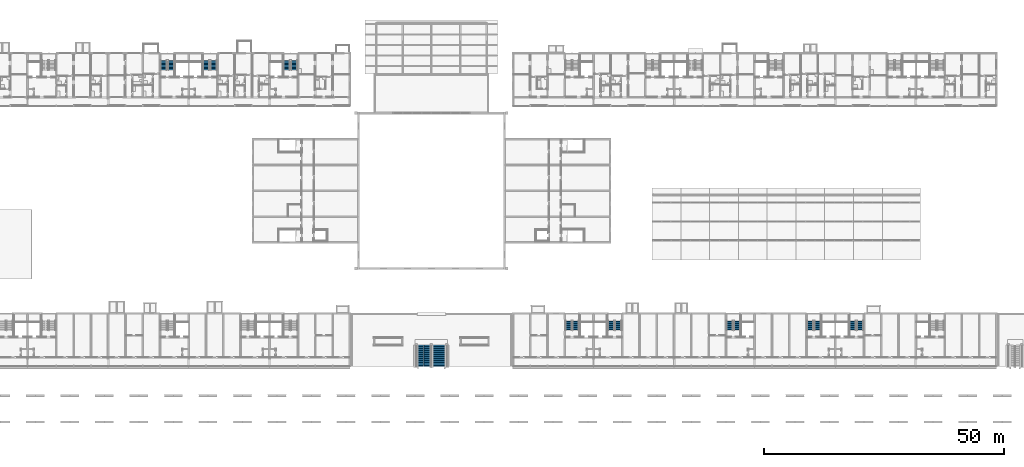
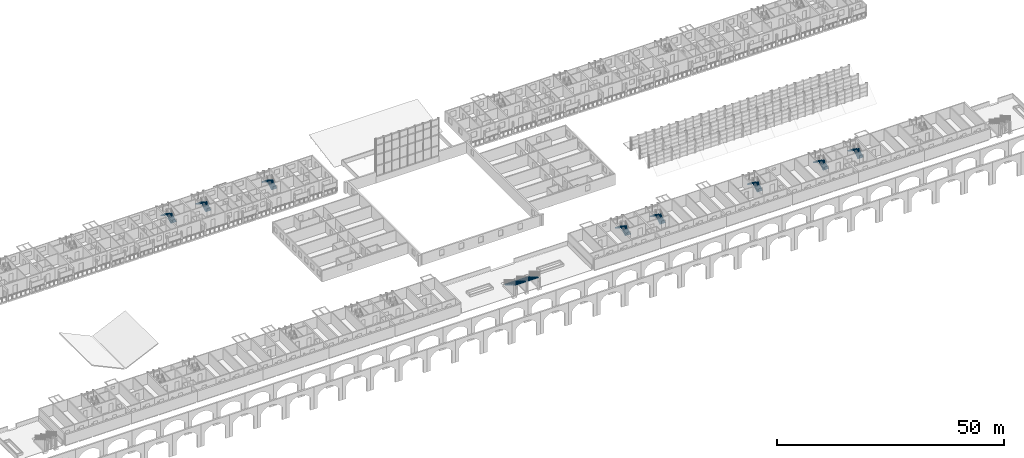
# One storey, part 83 of 122: 18 stair flights, 9 elements without a shape of their own.
"""IFC4 building model written with IfcOpenShell, lengths in metres."""

from ifc_helpers import new_model, si_unit, direction, frame, origin, place, context, subcontext, project, spatial, polyline, outline, extrude, material, type_object, element, aggregate, save


model = new_model("IFC4")

# Units and contexts
model_context = context("Model", 3, precision=1e-05, world=origin(), true_north=direction((0.0, 1.0)))
body_context = subcontext(model_context, "Body", "Model", "MODEL_VIEW")
ifc_project = project(units=[si_unit("LENGTHUNIT", "METRE"), si_unit("AREAUNIT", "SQUARE_METRE"), si_unit("VOLUMEUNIT", "CUBIC_METRE"), si_unit("PLANEANGLEUNIT", "RADIAN"), si_unit("MASSUNIT", "GRAM", prefix="KILO")], contexts=[model_context])

# Site, building, storey
site_placement = place(None, origin())
site = spatial("IfcSite", under=ifc_project, at=site_placement, CompositionType="ELEMENT")
building_placement = place(site_placement, origin())
building = spatial("IfcBuilding", under=site, at=building_placement, Name="Ridgestep Commons", CompositionType="ELEMENT")
storey_placement = place(building_placement, frame((0.0, 0.0, 3.0)))
storey = spatial("IfcBuildingStorey", under=building, at=storey_placement, Name="L01", CompositionType="ELEMENT", Elevation=3.0)

# Stair, stair flights
ifc_material_1 = material(Name="Concrete C30/37", Category="concrete")
stair_type_1 = type_object("IfcStairType", Name="Monumental stair", PredefinedType="STRAIGHT_RUN_STAIR", material=ifc_material_1)
stair_1_placement = place(storey_placement, origin())
stair_1 = element("IfcStair", 1, at=stair_1_placement, inside=storey, type_object=stair_type_1, Name="Monumental stair T1 to T2", PredefinedType="STRAIGHT_RUN_STAIR")
ifc_material_2 = material(Name="Concrete C30/37", Category="concrete")
stair_flight_type_1 = type_object("IfcStairFlightType", Name="Monumental stair flight", PredefinedType="STRAIGHT", material=ifc_material_2)
stair_flight_1_placement = place(storey_placement, frame((128.199951171875, 16.510009765625, 0.0), z_axis=(0.0, 0.0, 1.0), x_axis=(0.0, -1.0, 0.0)))
stair_flight_1 = element("IfcStairFlight", 2, at=stair_flight_1_placement, type_object=stair_flight_type_1, Name="ST3 flight 1", NumberOfRisers=18, NumberOfTreads=17, PredefinedType="STRAIGHT", RiserHeight=0.166666667, TreadLength=0.28, context=body_context, shape_type="SweptSolid", body=[
    extrude(outline(polyline([(0.0, 0.0), (0.0, 0.166748046875), (0.280029296875, 0.166748046875), (0.280029296875, 0.333251953125), (0.56005859375, 0.333251953125), (0.56005859375, 0.5), (0.840087890625, 0.5), (0.840087890625, 0.666748046875), (1.1201171875, 0.666748046875), (1.1201171875, 0.833251953125), (1.39990234375, 0.833251953125), (1.39990234375, 1.0), (1.679931640625, 1.0), (1.679931640625, 1.166748046875), (1.9599609375, 1.166748046875), (1.9599609375, 1.333251953125), (2.239990234375, 1.333251953125), (2.239990234375, 1.5), (2.52001953125, 1.5), (2.52001953125, 1.666748046875), (2.800048828125, 1.666748046875), (2.800048828125, 1.833251953125), (3.080078125, 1.833251953125), (3.080078125, 2.0), (3.360107421875, 2.0), (3.360107421875, 2.166748046875), (3.639892578125, 2.166748046875), (3.639892578125, 2.333251953125), (3.919921875, 2.333251953125), (3.919921875, 2.5), (4.199951171875, 2.5), (4.199951171875, 2.666748046875), (4.47998046875, 2.666748046875), (4.47998046875, 2.833251953125), (4.760009765625, 2.833251953125), (4.760009765625, 3.0), (4.760009765625, 2.6005859375), (0.390869140625, 0.0), (0.0, 0.0)])), frame((0.0, 1.39990234375, 0.0), z_axis=(0.0, -1.0, 0.0), x_axis=(1.0, 0.0, 0.0)), (0.0, 0.0, 1.0), 1.39501953125),
    extrude(outline(polyline([(0.0, 0.0), (0.0, 0.166748046875), (0.280029296875, 0.166748046875), (0.280029296875, 0.333251953125), (0.56005859375, 0.333251953125), (0.56005859375, 0.5), (0.840087890625, 0.5), (0.840087890625, 0.666748046875), (1.1201171875, 0.666748046875), (1.1201171875, 0.833251953125), (1.39990234375, 0.833251953125), (1.39990234375, 1.0), (1.679931640625, 1.0), (1.679931640625, 1.166748046875), (1.9599609375, 1.166748046875), (1.9599609375, 1.333251953125), (2.239990234375, 1.333251953125), (2.239990234375, 1.5), (2.52001953125, 1.5), (2.52001953125, 1.666748046875), (2.800048828125, 1.666748046875), (2.800048828125, 1.833251953125), (3.080078125, 1.833251953125), (3.080078125, 2.0), (3.360107421875, 2.0), (3.360107421875, 2.166748046875), (3.639892578125, 2.166748046875), (3.639892578125, 2.333251953125), (3.919921875, 2.333251953125), (3.919921875, 2.5), (4.199951171875, 2.5), (4.199951171875, 2.666748046875), (4.47998046875, 2.666748046875), (4.47998046875, 2.833251953125), (4.760009765625, 2.833251953125), (4.760009765625, 3.0), (4.760009765625, 2.6005859375), (0.390869140625, 0.0), (0.0, 0.0)])), frame((0.0, -0.0048828125, 0.0), z_axis=(0.0, -1.0, 0.0), x_axis=(1.0, 0.0, 0.0)), (0.0, 0.0, 1.0), 1.39501953125),
])
stair_flight_2_placement = place(storey_placement, frame((131.39990234375, 16.510009765625, 0.0), z_axis=(0.0, 0.0, 1.0), x_axis=(0.0, -1.0, 0.0)))
stair_flight_2 = element("IfcStairFlight", 3, at=stair_flight_2_placement, type_object=stair_flight_type_1, Name="ST3 flight 2", NumberOfRisers=18, NumberOfTreads=17, PredefinedType="STRAIGHT", RiserHeight=0.166666667, TreadLength=0.28, context=body_context, shape_type="SweptSolid", body=[
    extrude(outline(polyline([(0.0, 0.0), (0.0, 0.166748046875), (0.280029296875, 0.166748046875), (0.280029296875, 0.333251953125), (0.56005859375, 0.333251953125), (0.56005859375, 0.5), (0.840087890625, 0.5), (0.840087890625, 0.666748046875), (1.1201171875, 0.666748046875), (1.1201171875, 0.833251953125), (1.39990234375, 0.833251953125), (1.39990234375, 1.0), (1.679931640625, 1.0), (1.679931640625, 1.166748046875), (1.9599609375, 1.166748046875), (1.9599609375, 1.333251953125), (2.239990234375, 1.333251953125), (2.239990234375, 1.5), (2.52001953125, 1.5), (2.52001953125, 1.666748046875), (2.800048828125, 1.666748046875), (2.800048828125, 1.833251953125), (3.080078125, 1.833251953125), (3.080078125, 2.0), (3.360107421875, 2.0), (3.360107421875, 2.166748046875), (3.639892578125, 2.166748046875), (3.639892578125, 2.333251953125), (3.919921875, 2.333251953125), (3.919921875, 2.5), (4.199951171875, 2.5), (4.199951171875, 2.666748046875), (4.47998046875, 2.666748046875), (4.47998046875, 2.833251953125), (4.760009765625, 2.833251953125), (4.760009765625, 3.0), (4.760009765625, 2.6005859375), (0.390869140625, 0.0), (0.0, 0.0)])), frame((0.0, 1.39990234375, 0.0), z_axis=(0.0, -1.0, 0.0), x_axis=(1.0, 0.0, 0.0)), (0.0, 0.0, 1.0), 1.39501953125),
    extrude(outline(polyline([(0.0, 0.0), (0.0, 0.166748046875), (0.280029296875, 0.166748046875), (0.280029296875, 0.333251953125), (0.56005859375, 0.333251953125), (0.56005859375, 0.5), (0.840087890625, 0.5), (0.840087890625, 0.666748046875), (1.1201171875, 0.666748046875), (1.1201171875, 0.833251953125), (1.39990234375, 0.833251953125), (1.39990234375, 1.0), (1.679931640625, 1.0), (1.679931640625, 1.166748046875), (1.9599609375, 1.166748046875), (1.9599609375, 1.333251953125), (2.239990234375, 1.333251953125), (2.239990234375, 1.5), (2.52001953125, 1.5), (2.52001953125, 1.666748046875), (2.800048828125, 1.666748046875), (2.800048828125, 1.833251953125), (3.080078125, 1.833251953125), (3.080078125, 2.0), (3.360107421875, 2.0), (3.360107421875, 2.166748046875), (3.639892578125, 2.166748046875), (3.639892578125, 2.333251953125), (3.919921875, 2.333251953125), (3.919921875, 2.5), (4.199951171875, 2.5), (4.199951171875, 2.666748046875), (4.47998046875, 2.666748046875), (4.47998046875, 2.833251953125), (4.760009765625, 2.833251953125), (4.760009765625, 3.0), (4.760009765625, 2.6005859375), (0.390869140625, 0.0), (0.0, 0.0)])), frame((0.0, -0.0048828125, 0.0), z_axis=(0.0, -1.0, 0.0), x_axis=(1.0, 0.0, 0.0)), (0.0, 0.0, 1.0), 1.39501953125),
])
aggregate(stair_1, [stair_flight_1, stair_flight_2])

ifc_material_3 = material(Name="Precast concrete C40/50", Category="concrete")
stair_type_2 = type_object("IfcStairType", Name="Escape stair 1400", PredefinedType="HALF_TURN_STAIR", material=ifc_material_3)
stair_2_placement = place(storey_placement, origin())
stair_2 = element("IfcStair", 4, at=stair_2_placement, inside=storey, type_object=stair_type_2, Name="L01 Escape stair B4C", PredefinedType="HALF_TURN_STAIR")
ifc_material_4 = material(Name="Precast concrete C40/50", Category="concrete")
stair_flight_type_2 = type_object("IfcStairFlightType", Name="Stair flight 1400", PredefinedType="STRAIGHT", material=ifc_material_4)
stair_flight_3_placement = place(storey_placement, frame((75.52490234375, 73.60009765625, 0.0), z_axis=(0.0, 0.0, 1.0), x_axis=(0.0, 1.0, 0.0)))
stair_flight_3 = element("IfcStairFlight", 5, at=stair_flight_3_placement, type_object=stair_flight_type_2, Name="B4C flight 1", NumberOfRisers=8, NumberOfTreads=7, PredefinedType="STRAIGHT", RiserHeight=0.1875, TreadLength=0.28, context=body_context, shape_type="SweptSolid", body=[
    extrude(outline(polyline([(0.0, 0.0), (0.0, 0.1875), (0.280029296875, 0.1875), (0.280029296875, 0.375), (0.56005859375, 0.375), (0.56005859375, 0.5625), (0.840087890625, 0.5625), (0.840087890625, 0.75), (1.1201171875, 0.75), (1.1201171875, 0.9375), (1.39990234375, 0.9375), (1.39990234375, 1.125), (1.679931640625, 1.125), (1.679931640625, 1.3125), (1.9599609375, 1.3125), (1.9599609375, 1.5), (1.9599609375, 1.132080078125), (0.26953125, 0.0), (0.0, 0.0)])), frame((0.0, 0.699951171875, 0.0), z_axis=(0.0, -1.0, 0.0), x_axis=(1.0, 0.0, 0.0)), (0.0, 0.0, 1.0), 0.695068359375),
    extrude(outline(polyline([(0.0, 0.0), (0.0, 0.1875), (0.280029296875, 0.1875), (0.280029296875, 0.375), (0.56005859375, 0.375), (0.56005859375, 0.5625), (0.840087890625, 0.5625), (0.840087890625, 0.75), (1.1201171875, 0.75), (1.1201171875, 0.9375), (1.39990234375, 0.9375), (1.39990234375, 1.125), (1.679931640625, 1.125), (1.679931640625, 1.3125), (1.9599609375, 1.3125), (1.9599609375, 1.5), (1.9599609375, 1.132080078125), (0.26953125, 0.0), (0.0, 0.0)])), frame((0.0, -0.0048828125, 0.0), z_axis=(0.0, -1.0, 0.0), x_axis=(1.0, 0.0, 0.0)), (0.0, 0.0, 1.0), 0.695068359375),
])
stair_flight_4_placement = place(storey_placement, frame((74.02490234375, 75.56005859375, 1.5), z_axis=(0.0, 0.0, 1.0), x_axis=(0.0, -1.0, 0.0)))
stair_flight_4 = element("IfcStairFlight", 6, at=stair_flight_4_placement, type_object=stair_flight_type_2, Name="B4C flight 2", NumberOfRisers=8, NumberOfTreads=7, PredefinedType="STRAIGHT", RiserHeight=0.1875, TreadLength=0.28, context=body_context, shape_type="SweptSolid", body=[
    extrude(outline(polyline([(0.0, 0.0), (0.0, 0.1875), (0.280029296875, 0.1875), (0.280029296875, 0.375), (0.56005859375, 0.375), (0.56005859375, 0.5625), (0.840087890625, 0.5625), (0.840087890625, 0.75), (1.1201171875, 0.75), (1.1201171875, 0.9375), (1.39990234375, 0.9375), (1.39990234375, 1.125), (1.679931640625, 1.125), (1.679931640625, 1.3125), (1.9599609375, 1.3125), (1.9599609375, 1.5), (1.9599609375, 1.132080078125), (0.26953125, 0.0), (0.0, 0.0)])), frame((0.0, 0.699951171875, 0.0), z_axis=(0.0, -1.0, 0.0), x_axis=(1.0, 0.0, 0.0)), (0.0, 0.0, 1.0), 0.695068359375),
    extrude(outline(polyline([(0.0, 0.0), (0.0, 0.1875), (0.280029296875, 0.1875), (0.280029296875, 0.375), (0.56005859375, 0.375), (0.56005859375, 0.5625), (0.840087890625, 0.5625), (0.840087890625, 0.75), (1.1201171875, 0.75), (1.1201171875, 0.9375), (1.39990234375, 0.9375), (1.39990234375, 1.125), (1.679931640625, 1.125), (1.679931640625, 1.3125), (1.9599609375, 1.3125), (1.9599609375, 1.5), (1.9599609375, 1.132080078125), (0.26953125, 0.0), (0.0, 0.0)])), frame((0.0, -0.0048828125, 0.0), z_axis=(0.0, -1.0, 0.0), x_axis=(1.0, 0.0, 0.0)), (0.0, 0.0, 1.0), 0.695068359375),
])
aggregate(stair_2, [stair_flight_3, stair_flight_4])

stair_3_placement = place(storey_placement, origin())
stair_3 = element("IfcStair", 7, at=stair_3_placement, inside=storey, type_object=stair_type_2, Name="L01 Escape stair B5C", PredefinedType="HALF_TURN_STAIR")
stair_flight_5_placement = place(storey_placement, frame((84.375, 73.60009765625, 0.0), z_axis=(0.0, 0.0, 1.0), x_axis=(0.0, 1.0, 0.0)))
stair_flight_5 = element("IfcStairFlight", 8, at=stair_flight_5_placement, type_object=stair_flight_type_2, Name="B5C flight 1", NumberOfRisers=8, NumberOfTreads=7, PredefinedType="STRAIGHT", RiserHeight=0.1875, TreadLength=0.28, context=body_context, shape_type="SweptSolid", body=[
    extrude(outline(polyline([(0.0, 0.0), (0.0, 0.1875), (0.280029296875, 0.1875), (0.280029296875, 0.375), (0.56005859375, 0.375), (0.56005859375, 0.5625), (0.840087890625, 0.5625), (0.840087890625, 0.75), (1.1201171875, 0.75), (1.1201171875, 0.9375), (1.39990234375, 0.9375), (1.39990234375, 1.125), (1.679931640625, 1.125), (1.679931640625, 1.3125), (1.9599609375, 1.3125), (1.9599609375, 1.5), (1.9599609375, 1.132080078125), (0.26953125, 0.0), (0.0, 0.0)])), frame((0.0, 0.699951171875, 0.0), z_axis=(0.0, -1.0, 0.0), x_axis=(1.0, 0.0, 0.0)), (0.0, 0.0, 1.0), 0.695068359375),
    extrude(outline(polyline([(0.0, 0.0), (0.0, 0.1875), (0.280029296875, 0.1875), (0.280029296875, 0.375), (0.56005859375, 0.375), (0.56005859375, 0.5625), (0.840087890625, 0.5625), (0.840087890625, 0.75), (1.1201171875, 0.75), (1.1201171875, 0.9375), (1.39990234375, 0.9375), (1.39990234375, 1.125), (1.679931640625, 1.125), (1.679931640625, 1.3125), (1.9599609375, 1.3125), (1.9599609375, 1.5), (1.9599609375, 1.132080078125), (0.26953125, 0.0), (0.0, 0.0)])), frame((0.0, -0.0048828125, 0.0), z_axis=(0.0, -1.0, 0.0), x_axis=(1.0, 0.0, 0.0)), (0.0, 0.0, 1.0), 0.695068359375),
])
stair_flight_6_placement = place(storey_placement, frame((82.875, 75.56005859375, 1.5), z_axis=(0.0, 0.0, 1.0), x_axis=(0.0, -1.0, 0.0)))
stair_flight_6 = element("IfcStairFlight", 9, at=stair_flight_6_placement, type_object=stair_flight_type_2, Name="B5C flight 2", NumberOfRisers=8, NumberOfTreads=7, PredefinedType="STRAIGHT", RiserHeight=0.1875, TreadLength=0.28, context=body_context, shape_type="SweptSolid", body=[
    extrude(outline(polyline([(0.0, 0.0), (0.0, 0.1875), (0.280029296875, 0.1875), (0.280029296875, 0.375), (0.56005859375, 0.375), (0.56005859375, 0.5625), (0.840087890625, 0.5625), (0.840087890625, 0.75), (1.1201171875, 0.75), (1.1201171875, 0.9375), (1.39990234375, 0.9375), (1.39990234375, 1.125), (1.679931640625, 1.125), (1.679931640625, 1.3125), (1.9599609375, 1.3125), (1.9599609375, 1.5), (1.9599609375, 1.132080078125), (0.26953125, 0.0), (0.0, 0.0)])), frame((0.0, 0.699951171875, 0.0), z_axis=(0.0, -1.0, 0.0), x_axis=(1.0, 0.0, 0.0)), (0.0, 0.0, 1.0), 0.695068359375),
    extrude(outline(polyline([(0.0, 0.0), (0.0, 0.1875), (0.280029296875, 0.1875), (0.280029296875, 0.375), (0.56005859375, 0.375), (0.56005859375, 0.5625), (0.840087890625, 0.5625), (0.840087890625, 0.75), (1.1201171875, 0.75), (1.1201171875, 0.9375), (1.39990234375, 0.9375), (1.39990234375, 1.125), (1.679931640625, 1.125), (1.679931640625, 1.3125), (1.9599609375, 1.3125), (1.9599609375, 1.5), (1.9599609375, 1.132080078125), (0.26953125, 0.0), (0.0, 0.0)])), frame((0.0, -0.0048828125, 0.0), z_axis=(0.0, -1.0, 0.0), x_axis=(1.0, 0.0, 0.0)), (0.0, 0.0, 1.0), 0.695068359375),
])
aggregate(stair_3, [stair_flight_5, stair_flight_6])

stair_4_placement = place(storey_placement, origin())
stair_4 = element("IfcStair", 10, at=stair_4_placement, inside=storey, type_object=stair_type_2, Name="L01 Escape stair B6C", PredefinedType="HALF_TURN_STAIR")
stair_flight_7_placement = place(storey_placement, frame((101.175048828125, 73.60009765625, 0.0), z_axis=(0.0, 0.0, 1.0), x_axis=(0.0, 1.0, 0.0)))
stair_flight_7 = element("IfcStairFlight", 11, at=stair_flight_7_placement, type_object=stair_flight_type_2, Name="B6C flight 1", NumberOfRisers=8, NumberOfTreads=7, PredefinedType="STRAIGHT", RiserHeight=0.1875, TreadLength=0.28, context=body_context, shape_type="SweptSolid", body=[
    extrude(outline(polyline([(0.0, 0.0), (0.0, 0.1875), (0.280029296875, 0.1875), (0.280029296875, 0.375), (0.56005859375, 0.375), (0.56005859375, 0.5625), (0.840087890625, 0.5625), (0.840087890625, 0.75), (1.1201171875, 0.75), (1.1201171875, 0.9375), (1.39990234375, 0.9375), (1.39990234375, 1.125), (1.679931640625, 1.125), (1.679931640625, 1.3125), (1.9599609375, 1.3125), (1.9599609375, 1.5), (1.9599609375, 1.132080078125), (0.26953125, 0.0), (0.0, 0.0)])), frame((0.0, 0.699951171875, 0.0), z_axis=(0.0, -1.0, 0.0), x_axis=(1.0, 0.0, 0.0)), (0.0, 0.0, 1.0), 0.695068359375),
    extrude(outline(polyline([(0.0, 0.0), (0.0, 0.1875), (0.280029296875, 0.1875), (0.280029296875, 0.375), (0.56005859375, 0.375), (0.56005859375, 0.5625), (0.840087890625, 0.5625), (0.840087890625, 0.75), (1.1201171875, 0.75), (1.1201171875, 0.9375), (1.39990234375, 0.9375), (1.39990234375, 1.125), (1.679931640625, 1.125), (1.679931640625, 1.3125), (1.9599609375, 1.3125), (1.9599609375, 1.5), (1.9599609375, 1.132080078125), (0.26953125, 0.0), (0.0, 0.0)])), frame((0.0, -0.0048828125, 0.0), z_axis=(0.0, -1.0, 0.0), x_axis=(1.0, 0.0, 0.0)), (0.0, 0.0, 1.0), 0.695068359375),
])
stair_flight_8_placement = place(storey_placement, frame((99.675048828125, 75.56005859375, 1.5), z_axis=(0.0, 0.0, 1.0), x_axis=(0.0, -1.0, 0.0)))
stair_flight_8 = element("IfcStairFlight", 12, at=stair_flight_8_placement, type_object=stair_flight_type_2, Name="B6C flight 2", NumberOfRisers=8, NumberOfTreads=7, PredefinedType="STRAIGHT", RiserHeight=0.1875, TreadLength=0.28, context=body_context, shape_type="SweptSolid", body=[
    extrude(outline(polyline([(0.0, 0.0), (0.0, 0.1875), (0.280029296875, 0.1875), (0.280029296875, 0.375), (0.56005859375, 0.375), (0.56005859375, 0.5625), (0.840087890625, 0.5625), (0.840087890625, 0.75), (1.1201171875, 0.75), (1.1201171875, 0.9375), (1.39990234375, 0.9375), (1.39990234375, 1.125), (1.679931640625, 1.125), (1.679931640625, 1.3125), (1.9599609375, 1.3125), (1.9599609375, 1.5), (1.9599609375, 1.132080078125), (0.26953125, 0.0), (0.0, 0.0)])), frame((0.0, 0.699951171875, 0.0), z_axis=(0.0, -1.0, 0.0), x_axis=(1.0, 0.0, 0.0)), (0.0, 0.0, 1.0), 0.695068359375),
    extrude(outline(polyline([(0.0, 0.0), (0.0, 0.1875), (0.280029296875, 0.1875), (0.280029296875, 0.375), (0.56005859375, 0.375), (0.56005859375, 0.5625), (0.840087890625, 0.5625), (0.840087890625, 0.75), (1.1201171875, 0.75), (1.1201171875, 0.9375), (1.39990234375, 0.9375), (1.39990234375, 1.125), (1.679931640625, 1.125), (1.679931640625, 1.3125), (1.9599609375, 1.3125), (1.9599609375, 1.5), (1.9599609375, 1.132080078125), (0.26953125, 0.0), (0.0, 0.0)])), frame((0.0, -0.0048828125, 0.0), z_axis=(0.0, -1.0, 0.0), x_axis=(1.0, 0.0, 0.0)), (0.0, 0.0, 1.0), 0.695068359375),
])
aggregate(stair_4, [stair_flight_7, stair_flight_8])

stair_5_placement = place(storey_placement, origin())
stair_5 = element("IfcStair", 13, at=stair_5_placement, inside=storey, type_object=stair_type_2, Name="L01 Escape stair D1C", PredefinedType="HALF_TURN_STAIR")
stair_flight_9_placement = place(storey_placement, frame((159.925048828125, 19.35009765625, 0.0), z_axis=(0.0, 0.0, 1.0), x_axis=(0.0, 1.0, 0.0)))
stair_flight_9 = element("IfcStairFlight", 14, at=stair_flight_9_placement, type_object=stair_flight_type_2, Name="D1C flight 1", NumberOfRisers=8, NumberOfTreads=7, PredefinedType="STRAIGHT", RiserHeight=0.1875, TreadLength=0.28, context=body_context, shape_type="SweptSolid", body=[
    extrude(outline(polyline([(0.0, 0.0), (0.0, 0.1875), (0.280029296875, 0.1875), (0.280029296875, 0.375), (0.56005859375, 0.375), (0.56005859375, 0.5625), (0.840087890625, 0.5625), (0.840087890625, 0.75), (1.1201171875, 0.75), (1.1201171875, 0.9375), (1.39990234375, 0.9375), (1.39990234375, 1.125), (1.679931640625, 1.125), (1.679931640625, 1.3125), (1.9599609375, 1.3125), (1.9599609375, 1.5), (1.9599609375, 1.132080078125), (0.26953125, 0.0), (0.0, 0.0)])), frame((0.0, 0.699951171875, 0.0), z_axis=(0.0, -1.0, 0.0), x_axis=(1.0, 0.0, 0.0)), (0.0, 0.0, 1.0), 0.695068359375),
    extrude(outline(polyline([(0.0, 0.0), (0.0, 0.1875), (0.280029296875, 0.1875), (0.280029296875, 0.375), (0.56005859375, 0.375), (0.56005859375, 0.5625), (0.840087890625, 0.5625), (0.840087890625, 0.75), (1.1201171875, 0.75), (1.1201171875, 0.9375), (1.39990234375, 0.9375), (1.39990234375, 1.125), (1.679931640625, 1.125), (1.679931640625, 1.3125), (1.9599609375, 1.3125), (1.9599609375, 1.5), (1.9599609375, 1.132080078125), (0.26953125, 0.0), (0.0, 0.0)])), frame((0.0, -0.0048828125, 0.0), z_axis=(0.0, -1.0, 0.0), x_axis=(1.0, 0.0, 0.0)), (0.0, 0.0, 1.0), 0.695068359375),
])
stair_flight_10_placement = place(storey_placement, frame((158.425048828125, 21.31005859375, 1.5), z_axis=(0.0, 0.0, 1.0), x_axis=(0.0, -1.0, 0.0)))
stair_flight_10 = element("IfcStairFlight", 15, at=stair_flight_10_placement, type_object=stair_flight_type_2, Name="D1C flight 2", NumberOfRisers=8, NumberOfTreads=7, PredefinedType="STRAIGHT", RiserHeight=0.1875, TreadLength=0.28, context=body_context, shape_type="SweptSolid", body=[
    extrude(outline(polyline([(0.0, 0.0), (0.0, 0.1875), (0.280029296875, 0.1875), (0.280029296875, 0.375), (0.56005859375, 0.375), (0.56005859375, 0.5625), (0.840087890625, 0.5625), (0.840087890625, 0.75), (1.1201171875, 0.75), (1.1201171875, 0.9375), (1.39990234375, 0.9375), (1.39990234375, 1.125), (1.679931640625, 1.125), (1.679931640625, 1.3125), (1.9599609375, 1.3125), (1.9599609375, 1.5), (1.9599609375, 1.132080078125), (0.26953125, 0.0), (0.0, 0.0)])), frame((0.0, 0.699951171875, 0.0), z_axis=(0.0, -1.0, 0.0), x_axis=(1.0, 0.0, 0.0)), (0.0, 0.0, 1.0), 0.695068359375),
    extrude(outline(polyline([(0.0, 0.0), (0.0, 0.1875), (0.280029296875, 0.1875), (0.280029296875, 0.375), (0.56005859375, 0.375), (0.56005859375, 0.5625), (0.840087890625, 0.5625), (0.840087890625, 0.75), (1.1201171875, 0.75), (1.1201171875, 0.9375), (1.39990234375, 0.9375), (1.39990234375, 1.125), (1.679931640625, 1.125), (1.679931640625, 1.3125), (1.9599609375, 1.3125), (1.9599609375, 1.5), (1.9599609375, 1.132080078125), (0.26953125, 0.0), (0.0, 0.0)])), frame((0.0, -0.0048828125, 0.0), z_axis=(0.0, -1.0, 0.0), x_axis=(1.0, 0.0, 0.0)), (0.0, 0.0, 1.0), 0.695068359375),
])
aggregate(stair_5, [stair_flight_9, stair_flight_10])

stair_6_placement = place(storey_placement, origin())
stair_6 = element("IfcStair", 16, at=stair_6_placement, inside=storey, type_object=stair_type_2, Name="L01 Escape stair D2C", PredefinedType="HALF_TURN_STAIR")
stair_flight_11_placement = place(storey_placement, frame((168.77490234375, 19.35009765625, 0.0), z_axis=(0.0, 0.0, 1.0), x_axis=(0.0, 1.0, 0.0)))
stair_flight_11 = element("IfcStairFlight", 17, at=stair_flight_11_placement, type_object=stair_flight_type_2, Name="D2C flight 1", NumberOfRisers=8, NumberOfTreads=7, PredefinedType="STRAIGHT", RiserHeight=0.1875, TreadLength=0.28, context=body_context, shape_type="SweptSolid", body=[
    extrude(outline(polyline([(0.0, 0.0), (0.0, 0.1875), (0.280029296875, 0.1875), (0.280029296875, 0.375), (0.56005859375, 0.375), (0.56005859375, 0.5625), (0.840087890625, 0.5625), (0.840087890625, 0.75), (1.1201171875, 0.75), (1.1201171875, 0.9375), (1.39990234375, 0.9375), (1.39990234375, 1.125), (1.679931640625, 1.125), (1.679931640625, 1.3125), (1.9599609375, 1.3125), (1.9599609375, 1.5), (1.9599609375, 1.132080078125), (0.26953125, 0.0), (0.0, 0.0)])), frame((0.0, 0.699951171875, 0.0), z_axis=(0.0, -1.0, 0.0), x_axis=(1.0, 0.0, 0.0)), (0.0, 0.0, 1.0), 0.695068359375),
    extrude(outline(polyline([(0.0, 0.0), (0.0, 0.1875), (0.280029296875, 0.1875), (0.280029296875, 0.375), (0.56005859375, 0.375), (0.56005859375, 0.5625), (0.840087890625, 0.5625), (0.840087890625, 0.75), (1.1201171875, 0.75), (1.1201171875, 0.9375), (1.39990234375, 0.9375), (1.39990234375, 1.125), (1.679931640625, 1.125), (1.679931640625, 1.3125), (1.9599609375, 1.3125), (1.9599609375, 1.5), (1.9599609375, 1.132080078125), (0.26953125, 0.0), (0.0, 0.0)])), frame((0.0, -0.0048828125, 0.0), z_axis=(0.0, -1.0, 0.0), x_axis=(1.0, 0.0, 0.0)), (0.0, 0.0, 1.0), 0.695068359375),
])
stair_flight_12_placement = place(storey_placement, frame((167.27490234375, 21.31005859375, 1.5), z_axis=(0.0, 0.0, 1.0), x_axis=(0.0, -1.0, 0.0)))
stair_flight_12 = element("IfcStairFlight", 18, at=stair_flight_12_placement, type_object=stair_flight_type_2, Name="D2C flight 2", NumberOfRisers=8, NumberOfTreads=7, PredefinedType="STRAIGHT", RiserHeight=0.1875, TreadLength=0.28, context=body_context, shape_type="SweptSolid", body=[
    extrude(outline(polyline([(0.0, 0.0), (0.0, 0.1875), (0.280029296875, 0.1875), (0.280029296875, 0.375), (0.56005859375, 0.375), (0.56005859375, 0.5625), (0.840087890625, 0.5625), (0.840087890625, 0.75), (1.1201171875, 0.75), (1.1201171875, 0.9375), (1.39990234375, 0.9375), (1.39990234375, 1.125), (1.679931640625, 1.125), (1.679931640625, 1.3125), (1.9599609375, 1.3125), (1.9599609375, 1.5), (1.9599609375, 1.132080078125), (0.26953125, 0.0), (0.0, 0.0)])), frame((0.0, 0.699951171875, 0.0), z_axis=(0.0, -1.0, 0.0), x_axis=(1.0, 0.0, 0.0)), (0.0, 0.0, 1.0), 0.695068359375),
    extrude(outline(polyline([(0.0, 0.0), (0.0, 0.1875), (0.280029296875, 0.1875), (0.280029296875, 0.375), (0.56005859375, 0.375), (0.56005859375, 0.5625), (0.840087890625, 0.5625), (0.840087890625, 0.75), (1.1201171875, 0.75), (1.1201171875, 0.9375), (1.39990234375, 0.9375), (1.39990234375, 1.125), (1.679931640625, 1.125), (1.679931640625, 1.3125), (1.9599609375, 1.3125), (1.9599609375, 1.5), (1.9599609375, 1.132080078125), (0.26953125, 0.0), (0.0, 0.0)])), frame((0.0, -0.0048828125, 0.0), z_axis=(0.0, -1.0, 0.0), x_axis=(1.0, 0.0, 0.0)), (0.0, 0.0, 1.0), 0.695068359375),
])
aggregate(stair_6, [stair_flight_11, stair_flight_12])

stair_7_placement = place(storey_placement, origin())
stair_7 = element("IfcStair", 19, at=stair_7_placement, inside=storey, type_object=stair_type_2, Name="L01 Escape stair D3C", PredefinedType="HALF_TURN_STAIR")
stair_flight_13_placement = place(storey_placement, frame((193.52490234375, 19.35009765625, 0.0), z_axis=(0.0, 0.0, 1.0), x_axis=(0.0, 1.0, 0.0)))
stair_flight_13 = element("IfcStairFlight", 20, at=stair_flight_13_placement, type_object=stair_flight_type_2, Name="D3C flight 1", NumberOfRisers=8, NumberOfTreads=7, PredefinedType="STRAIGHT", RiserHeight=0.1875, TreadLength=0.28, context=body_context, shape_type="SweptSolid", body=[
    extrude(outline(polyline([(0.0, 0.0), (0.0, 0.1875), (0.280029296875, 0.1875), (0.280029296875, 0.375), (0.56005859375, 0.375), (0.56005859375, 0.5625), (0.840087890625, 0.5625), (0.840087890625, 0.75), (1.1201171875, 0.75), (1.1201171875, 0.9375), (1.39990234375, 0.9375), (1.39990234375, 1.125), (1.679931640625, 1.125), (1.679931640625, 1.3125), (1.9599609375, 1.3125), (1.9599609375, 1.5), (1.9599609375, 1.132080078125), (0.26953125, 0.0), (0.0, 0.0)])), frame((0.0, 0.699951171875, 0.0), z_axis=(0.0, -1.0, 0.0), x_axis=(1.0, 0.0, 0.0)), (0.0, 0.0, 1.0), 0.695068359375),
    extrude(outline(polyline([(0.0, 0.0), (0.0, 0.1875), (0.280029296875, 0.1875), (0.280029296875, 0.375), (0.56005859375, 0.375), (0.56005859375, 0.5625), (0.840087890625, 0.5625), (0.840087890625, 0.75), (1.1201171875, 0.75), (1.1201171875, 0.9375), (1.39990234375, 0.9375), (1.39990234375, 1.125), (1.679931640625, 1.125), (1.679931640625, 1.3125), (1.9599609375, 1.3125), (1.9599609375, 1.5), (1.9599609375, 1.132080078125), (0.26953125, 0.0), (0.0, 0.0)])), frame((0.0, -0.0048828125, 0.0), z_axis=(0.0, -1.0, 0.0), x_axis=(1.0, 0.0, 0.0)), (0.0, 0.0, 1.0), 0.695068359375),
])
stair_flight_14_placement = place(storey_placement, frame((192.02490234375, 21.31005859375, 1.5), z_axis=(0.0, 0.0, 1.0), x_axis=(0.0, -1.0, 0.0)))
stair_flight_14 = element("IfcStairFlight", 21, at=stair_flight_14_placement, type_object=stair_flight_type_2, Name="D3C flight 2", NumberOfRisers=8, NumberOfTreads=7, PredefinedType="STRAIGHT", RiserHeight=0.1875, TreadLength=0.28, context=body_context, shape_type="SweptSolid", body=[
    extrude(outline(polyline([(0.0, 0.0), (0.0, 0.1875), (0.280029296875, 0.1875), (0.280029296875, 0.375), (0.56005859375, 0.375), (0.56005859375, 0.5625), (0.840087890625, 0.5625), (0.840087890625, 0.75), (1.1201171875, 0.75), (1.1201171875, 0.9375), (1.39990234375, 0.9375), (1.39990234375, 1.125), (1.679931640625, 1.125), (1.679931640625, 1.3125), (1.9599609375, 1.3125), (1.9599609375, 1.5), (1.9599609375, 1.132080078125), (0.26953125, 0.0), (0.0, 0.0)])), frame((0.0, 0.699951171875, 0.0), z_axis=(0.0, -1.0, 0.0), x_axis=(1.0, 0.0, 0.0)), (0.0, 0.0, 1.0), 0.695068359375),
    extrude(outline(polyline([(0.0, 0.0), (0.0, 0.1875), (0.280029296875, 0.1875), (0.280029296875, 0.375), (0.56005859375, 0.375), (0.56005859375, 0.5625), (0.840087890625, 0.5625), (0.840087890625, 0.75), (1.1201171875, 0.75), (1.1201171875, 0.9375), (1.39990234375, 0.9375), (1.39990234375, 1.125), (1.679931640625, 1.125), (1.679931640625, 1.3125), (1.9599609375, 1.3125), (1.9599609375, 1.5), (1.9599609375, 1.132080078125), (0.26953125, 0.0), (0.0, 0.0)])), frame((0.0, -0.0048828125, 0.0), z_axis=(0.0, -1.0, 0.0), x_axis=(1.0, 0.0, 0.0)), (0.0, 0.0, 1.0), 0.695068359375),
])
aggregate(stair_7, [stair_flight_13, stair_flight_14])

stair_8_placement = place(storey_placement, origin())
stair_8 = element("IfcStair", 22, at=stair_8_placement, inside=storey, type_object=stair_type_2, Name="L01 Escape stair D4C", PredefinedType="HALF_TURN_STAIR")
stair_flight_15_placement = place(storey_placement, frame((210.324951171875, 19.35009765625, 0.0), z_axis=(0.0, 0.0, 1.0), x_axis=(0.0, 1.0, 0.0)))
stair_flight_15 = element("IfcStairFlight", 23, at=stair_flight_15_placement, type_object=stair_flight_type_2, Name="D4C flight 1", NumberOfRisers=8, NumberOfTreads=7, PredefinedType="STRAIGHT", RiserHeight=0.1875, TreadLength=0.28, context=body_context, shape_type="SweptSolid", body=[
    extrude(outline(polyline([(0.0, 0.0), (0.0, 0.1875), (0.280029296875, 0.1875), (0.280029296875, 0.375), (0.56005859375, 0.375), (0.56005859375, 0.5625), (0.840087890625, 0.5625), (0.840087890625, 0.75), (1.1201171875, 0.75), (1.1201171875, 0.9375), (1.39990234375, 0.9375), (1.39990234375, 1.125), (1.679931640625, 1.125), (1.679931640625, 1.3125), (1.9599609375, 1.3125), (1.9599609375, 1.5), (1.9599609375, 1.132080078125), (0.26953125, 0.0), (0.0, 0.0)])), frame((0.0, 0.699951171875, 0.0), z_axis=(0.0, -1.0, 0.0), x_axis=(1.0, 0.0, 0.0)), (0.0, 0.0, 1.0), 0.695068359375),
    extrude(outline(polyline([(0.0, 0.0), (0.0, 0.1875), (0.280029296875, 0.1875), (0.280029296875, 0.375), (0.56005859375, 0.375), (0.56005859375, 0.5625), (0.840087890625, 0.5625), (0.840087890625, 0.75), (1.1201171875, 0.75), (1.1201171875, 0.9375), (1.39990234375, 0.9375), (1.39990234375, 1.125), (1.679931640625, 1.125), (1.679931640625, 1.3125), (1.9599609375, 1.3125), (1.9599609375, 1.5), (1.9599609375, 1.132080078125), (0.26953125, 0.0), (0.0, 0.0)])), frame((0.0, -0.0048828125, 0.0), z_axis=(0.0, -1.0, 0.0), x_axis=(1.0, 0.0, 0.0)), (0.0, 0.0, 1.0), 0.695068359375),
])
stair_flight_16_placement = place(storey_placement, frame((208.824951171875, 21.31005859375, 1.5), z_axis=(0.0, 0.0, 1.0), x_axis=(0.0, -1.0, 0.0)))
stair_flight_16 = element("IfcStairFlight", 24, at=stair_flight_16_placement, type_object=stair_flight_type_2, Name="D4C flight 2", NumberOfRisers=8, NumberOfTreads=7, PredefinedType="STRAIGHT", RiserHeight=0.1875, TreadLength=0.28, context=body_context, shape_type="SweptSolid", body=[
    extrude(outline(polyline([(0.0, 0.0), (0.0, 0.1875), (0.280029296875, 0.1875), (0.280029296875, 0.375), (0.56005859375, 0.375), (0.56005859375, 0.5625), (0.840087890625, 0.5625), (0.840087890625, 0.75), (1.1201171875, 0.75), (1.1201171875, 0.9375), (1.39990234375, 0.9375), (1.39990234375, 1.125), (1.679931640625, 1.125), (1.679931640625, 1.3125), (1.9599609375, 1.3125), (1.9599609375, 1.5), (1.9599609375, 1.132080078125), (0.26953125, 0.0), (0.0, 0.0)])), frame((0.0, 0.699951171875, 0.0), z_axis=(0.0, -1.0, 0.0), x_axis=(1.0, 0.0, 0.0)), (0.0, 0.0, 1.0), 0.695068359375),
    extrude(outline(polyline([(0.0, 0.0), (0.0, 0.1875), (0.280029296875, 0.1875), (0.280029296875, 0.375), (0.56005859375, 0.375), (0.56005859375, 0.5625), (0.840087890625, 0.5625), (0.840087890625, 0.75), (1.1201171875, 0.75), (1.1201171875, 0.9375), (1.39990234375, 0.9375), (1.39990234375, 1.125), (1.679931640625, 1.125), (1.679931640625, 1.3125), (1.9599609375, 1.3125), (1.9599609375, 1.5), (1.9599609375, 1.132080078125), (0.26953125, 0.0), (0.0, 0.0)])), frame((0.0, -0.0048828125, 0.0), z_axis=(0.0, -1.0, 0.0), x_axis=(1.0, 0.0, 0.0)), (0.0, 0.0, 1.0), 0.695068359375),
])
aggregate(stair_8, [stair_flight_15, stair_flight_16])

stair_9_placement = place(storey_placement, origin())
stair_9 = element("IfcStair", 25, at=stair_9_placement, inside=storey, type_object=stair_type_2, Name="L01 Escape stair D5C", PredefinedType="HALF_TURN_STAIR")
stair_flight_17_placement = place(storey_placement, frame((219.175048828125, 19.35009765625, 0.0), z_axis=(0.0, 0.0, 1.0), x_axis=(0.0, 1.0, 0.0)))
stair_flight_17 = element("IfcStairFlight", 26, at=stair_flight_17_placement, type_object=stair_flight_type_2, Name="D5C flight 1", NumberOfRisers=8, NumberOfTreads=7, PredefinedType="STRAIGHT", RiserHeight=0.1875, TreadLength=0.28, context=body_context, shape_type="SweptSolid", body=[
    extrude(outline(polyline([(0.0, 0.0), (0.0, 0.1875), (0.280029296875, 0.1875), (0.280029296875, 0.375), (0.56005859375, 0.375), (0.56005859375, 0.5625), (0.840087890625, 0.5625), (0.840087890625, 0.75), (1.1201171875, 0.75), (1.1201171875, 0.9375), (1.39990234375, 0.9375), (1.39990234375, 1.125), (1.679931640625, 1.125), (1.679931640625, 1.3125), (1.9599609375, 1.3125), (1.9599609375, 1.5), (1.9599609375, 1.132080078125), (0.26953125, 0.0), (0.0, 0.0)])), frame((0.0, 0.699951171875, 0.0), z_axis=(0.0, -1.0, 0.0), x_axis=(1.0, 0.0, 0.0)), (0.0, 0.0, 1.0), 0.695068359375),
    extrude(outline(polyline([(0.0, 0.0), (0.0, 0.1875), (0.280029296875, 0.1875), (0.280029296875, 0.375), (0.56005859375, 0.375), (0.56005859375, 0.5625), (0.840087890625, 0.5625), (0.840087890625, 0.75), (1.1201171875, 0.75), (1.1201171875, 0.9375), (1.39990234375, 0.9375), (1.39990234375, 1.125), (1.679931640625, 1.125), (1.679931640625, 1.3125), (1.9599609375, 1.3125), (1.9599609375, 1.5), (1.9599609375, 1.132080078125), (0.26953125, 0.0), (0.0, 0.0)])), frame((0.0, -0.0048828125, 0.0), z_axis=(0.0, -1.0, 0.0), x_axis=(1.0, 0.0, 0.0)), (0.0, 0.0, 1.0), 0.695068359375),
])
stair_flight_18_placement = place(storey_placement, frame((217.675048828125, 21.31005859375, 1.5), z_axis=(0.0, 0.0, 1.0), x_axis=(0.0, -1.0, 0.0)))
stair_flight_18 = element("IfcStairFlight", 27, at=stair_flight_18_placement, type_object=stair_flight_type_2, Name="D5C flight 2", NumberOfRisers=8, NumberOfTreads=7, PredefinedType="STRAIGHT", RiserHeight=0.1875, TreadLength=0.28, context=body_context, shape_type="SweptSolid", body=[
    extrude(outline(polyline([(0.0, 0.0), (0.0, 0.1875), (0.280029296875, 0.1875), (0.280029296875, 0.375), (0.56005859375, 0.375), (0.56005859375, 0.5625), (0.840087890625, 0.5625), (0.840087890625, 0.75), (1.1201171875, 0.75), (1.1201171875, 0.9375), (1.39990234375, 0.9375), (1.39990234375, 1.125), (1.679931640625, 1.125), (1.679931640625, 1.3125), (1.9599609375, 1.3125), (1.9599609375, 1.5), (1.9599609375, 1.132080078125), (0.26953125, 0.0), (0.0, 0.0)])), frame((0.0, 0.699951171875, 0.0), z_axis=(0.0, -1.0, 0.0), x_axis=(1.0, 0.0, 0.0)), (0.0, 0.0, 1.0), 0.695068359375),
    extrude(outline(polyline([(0.0, 0.0), (0.0, 0.1875), (0.280029296875, 0.1875), (0.280029296875, 0.375), (0.56005859375, 0.375), (0.56005859375, 0.5625), (0.840087890625, 0.5625), (0.840087890625, 0.75), (1.1201171875, 0.75), (1.1201171875, 0.9375), (1.39990234375, 0.9375), (1.39990234375, 1.125), (1.679931640625, 1.125), (1.679931640625, 1.3125), (1.9599609375, 1.3125), (1.9599609375, 1.5), (1.9599609375, 1.132080078125), (0.26953125, 0.0), (0.0, 0.0)])), frame((0.0, -0.0048828125, 0.0), z_axis=(0.0, -1.0, 0.0), x_axis=(1.0, 0.0, 0.0)), (0.0, 0.0, 1.0), 0.695068359375),
])
aggregate(stair_9, [stair_flight_17, stair_flight_18])

save(model, "model.ifc")
